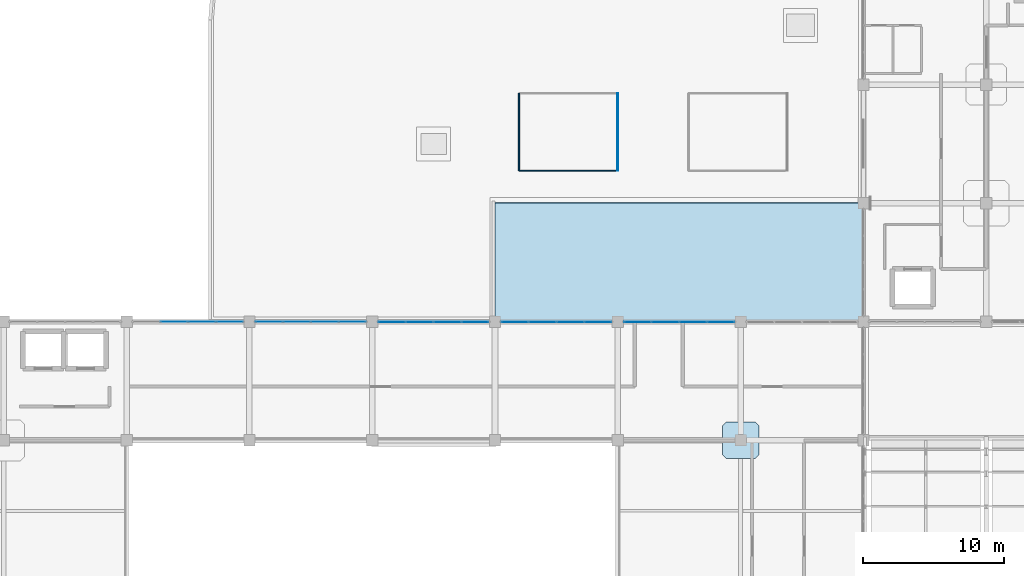
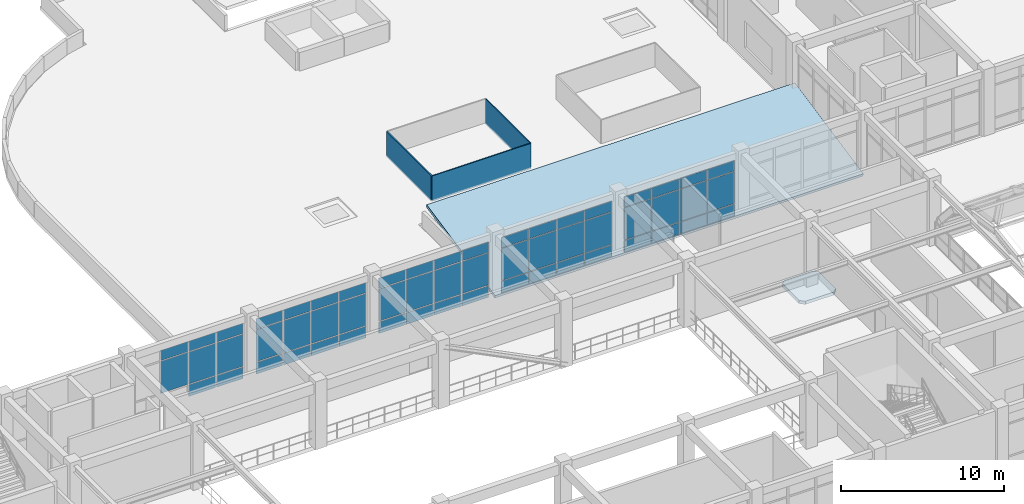
# One storey, part 97 of 124: 59 plates, 2 slabs, 5 elements without a shape of their own.
"""IFC4 building model written with IfcOpenShell, lengths in metres."""

from ifc_helpers import new_model, si_unit, derived_unit, direction, frame, origin, origin_2d, place, context, subcontext, project, spatial, polyline, rectangle, outline, extrude, material, layer, layer_set, type_object, element, aggregate, save


model = new_model("IFC4")

# Units and contexts
model_context = context("Model", 3, precision=1e-05, world=origin(), true_north=direction((0.0, 1.0)))
body_context = subcontext(model_context, "Body", "Model", "MODEL_VIEW")
ifc_project = project(units=[si_unit("LENGTHUNIT", "METRE"), si_unit("AREAUNIT", "SQUARE_METRE"), si_unit("VOLUMEUNIT", "CUBIC_METRE"), si_unit("PLANEANGLEUNIT", "RADIAN"), si_unit("MASSUNIT", "GRAM", prefix="KILO"), derived_unit("THERMALTRANSMITTANCEUNIT", [(si_unit("MASSUNIT", "GRAM", prefix="KILO"), 1), (si_unit("TIMEUNIT", "SECOND"), -3), (si_unit("THERMODYNAMICTEMPERATUREUNIT", "KELVIN"), -1)])], contexts=[model_context])

# Site, building, storey
site_placement = place(None, origin())
site = spatial("IfcSite", under=ifc_project, at=site_placement, CompositionType="ELEMENT")
building_placement = place(site_placement, origin())
building = spatial("IfcBuilding", under=site, at=building_placement, Name="Qinzheling Arcade Emporium", CompositionType="ELEMENT")
storey_placement = place(building_placement, frame((0.0, 0.0, 16.5)))
storey = spatial("IfcBuildingStorey", under=building, at=storey_placement, Name="L04", CompositionType="ELEMENT", Elevation=16.5)

# Plates
ifc_material_1 = material(Name="Mineral-wool-lined perforated aluminium acoustic panel", Category="aluminium")
ifc_layer_1 = layer(ifc_material_1, 0.06494140625, Name="Mineral-wool-lined perforated aluminium acoustic panel", Category="aluminium")
ifc_layer_set_1 = layer_set([ifc_layer_1], Name="Mineral-wool-lined perforated aluminium acoustic panel")
plate_type_1 = type_object("IfcPlateType", Name="Acoustic Roof Plant Screen Panel 65mm", PredefinedType="USERDEFINED", material=ifc_layer_set_1)
plate_1_placement = place(storey_placement, frame((87.0, 87.25, 0.0), z_axis=(0.0, 0.0, 1.0), x_axis=(0.0, 1.0, 0.0)))
element("IfcPlate", 1, at=plate_1_placement, inside=storey, type_object=plate_type_1, Name="Acoustic Plant Screen PLT-APS-L04-04", ObjectType="PLANT_SCREEN", PredefinedType="USERDEFINED", context=body_context, shape_type="SweptSolid", body=[
    extrude(rectangle(XDim=5.5, YDim=0.06494140625, at=origin_2d()), origin(), (0.0, 0.0, 1.0), 1.89990234375),
])
ifc_layer_2 = layer(ifc_material_1, 0.074951171875, Name="Mineral-wool-lined perforated aluminium acoustic panel", Category="aluminium")
ifc_layer_set_2 = layer_set([ifc_layer_2], Name="Mineral-wool-lined perforated aluminium acoustic panel")
plate_type_2 = type_object("IfcPlateType", Name="Acoustic Roof Plant Screen Panel 75mm", PredefinedType="USERDEFINED", material=ifc_layer_set_2)
plate_2_placement = place(storey_placement, frame((83.5, 84.5, 0.0), z_axis=(0.0, 0.0, 1.0), x_axis=(1.0, 0.0, 0.0)))
element("IfcPlate", 2, at=plate_2_placement, inside=storey, type_object=plate_type_2, Name="Acoustic Plant Screen PLT-APS-L04-01", ObjectType="PLANT_SCREEN", PredefinedType="USERDEFINED", context=body_context, shape_type="SweptSolid", body=[
    extrude(rectangle(XDim=7.0, YDim=0.074951171875, at=origin_2d()), origin(), (0.0, 0.0, 1.0), 1.89990234375),
])
ifc_layer_3 = layer(ifc_material_1, 0.094970703125, Name="Mineral-wool-lined perforated aluminium acoustic panel", Category="aluminium")
ifc_layer_set_3 = layer_set([ifc_layer_3], Name="Mineral-wool-lined perforated aluminium acoustic panel")
plate_type_3 = type_object("IfcPlateType", Name="Acoustic Roof Plant Screen Panel 95mm", PredefinedType="USERDEFINED", material=ifc_layer_set_3)
plate_3_placement = place(storey_placement, frame((80.0, 87.25, 0.0), z_axis=(0.0, 0.0, 1.0), x_axis=(0.0, 1.0, 0.0)))
element("IfcPlate", 3, at=plate_3_placement, inside=storey, type_object=plate_type_3, Name="Acoustic Plant Screen PLT-APS-L04-03", ObjectType="PLANT_SCREEN", PredefinedType="USERDEFINED", context=body_context, shape_type="SweptSolid", body=[
    extrude(rectangle(XDim=5.5, YDim=0.094970703125, at=origin_2d()), origin(), (0.0, 0.0, 1.0), 1.89990234375),
])

# Slab
ifc_material_2 = material(Name="Concrete C40", Category="concrete")
ifc_layer_4 = layer(ifc_material_2, 0.235107421875, Name="Concrete C40", Category="concrete")
ifc_layer_set_4 = layer_set([ifc_layer_4], Name="Concrete C40")
slab_type_1 = type_object("IfcSlabType", Name="Column Head Drop Panel 2600x2600x235 C40", PredefinedType="USERDEFINED", material=ifc_layer_set_4)
slab_1_placement = place(storey_placement, frame((0.0, 0.0, -0.514892578125)))
element("IfcSlab", 4, at=slab_1_placement, inside=storey, type_object=slab_type_1, Name="Column Drop Panel DP-L04-12-H", ObjectType="DROP_PANEL", PredefinedType="USERDEFINED", context=body_context, shape_type="SweptSolid", body=[
    extrude(outline(polyline([(94.679931640625, 64.10009765625), (96.719970703125, 64.10009765625), (97.0, 64.3798828125), (97.0, 66.419921875), (96.719970703125, 66.699951171875), (94.679931640625, 66.699951171875), (94.39990234375, 66.419921875), (94.39990234375, 64.3798828125), (94.679931640625, 64.10009765625)])), origin(), (0.0, 0.0, 1.0), 0.23486328125),
])

# Curtain wall, plates
ifc_material_3 = material(Name="Anodised aluminium and solar-control double glazing", Category="aluminium")
ifc_layer_5 = layer(ifc_material_3, 0.159912109375, Name="Anodised aluminium and solar-control double glazing", Category="aluminium")
ifc_layer_set_5 = layer_set([ifc_layer_5], Name="Anodised aluminium and solar-control double glazing")
curtain_wall_type = type_object("IfcCurtainWallType", Name="Atrium Clerestory Curtain Wall", PredefinedType="NOTDEFINED", material=ifc_layer_set_5)
curtain_wall_1_placement = place(storey_placement, origin())
curtain_wall_1 = element("IfcCurtainWall", 5, at=curtain_wall_1_placement, inside=storey, type_object=curtain_wall_type, Name="Curtain Wall CW-L04-244", PredefinedType="NOTDEFINED")
ifc_material_4 = material(Name="Laminated solar-control double glazing", Category="glass")
ifc_layer_6 = layer(ifc_material_4, 0.029052734375, Name="Laminated solar-control double glazing", Category="glass")
ifc_layer_set_6 = layer_set([ifc_layer_6], Name="Laminated solar-control double glazing")
plate_type_4 = type_object("IfcPlateType", Name="Low-E Double Glazed Curtain Panel 29mm", PredefinedType="CURTAIN_PANEL", material=ifc_layer_set_6)
plate_4_placement = place(storey_placement, frame((55.56298828125, 73.800048828125, 0.97998046875), z_axis=(0.0, 0.0, 1.0), x_axis=(1.0, 0.0, 0.0)))
plate_4 = element("IfcPlate", 6, at=plate_4_placement, type_object=plate_type_4, Name="CW03 panel 2.2", PredefinedType="CURTAIN_PANEL", context=body_context, shape_type="SweptSolid", body=[
    extrude(rectangle(XDim=1.9140625, YDim=0.029052734375, at=origin_2d()), origin(), (0.0, 0.0, 1.0), 2.39501953125),
])
plate_5_placement = place(storey_placement, frame((55.56298828125, 73.800048828125, 3.43505859375), z_axis=(0.0, 0.0, 1.0), x_axis=(1.0, 0.0, 0.0)))
plate_5 = element("IfcPlate", 7, at=plate_5_placement, type_object=plate_type_4, Name="CW03 panel 2.3", PredefinedType="CURTAIN_PANEL", context=body_context, shape_type="SweptSolid", body=[
    extrude(rectangle(XDim=1.9140625, YDim=0.029052734375, at=origin_2d()), origin(), (0.0, 0.0, 1.0), 0.760009765625),
])
plate_6_placement = place(storey_placement, frame((57.537109375, 73.800048828125, 0.06005859375), z_axis=(0.0, 0.0, 1.0), x_axis=(1.0, 0.0, 0.0)))
plate_6 = element("IfcPlate", 8, at=plate_6_placement, type_object=plate_type_4, Name="CW03 panel 3.1", PredefinedType="CURTAIN_PANEL", context=body_context, shape_type="SweptSolid", body=[
    extrude(rectangle(XDim=1.9140625, YDim=0.029052734375, at=origin_2d()), origin(), (0.0, 0.0, 1.0), 0.860107421875),
])
plate_7_placement = place(storey_placement, frame((57.537109375, 73.800048828125, 0.97998046875), z_axis=(0.0, 0.0, 1.0), x_axis=(1.0, 0.0, 0.0)))
plate_7 = element("IfcPlate", 9, at=plate_7_placement, type_object=plate_type_4, Name="CW03 panel 3.2", PredefinedType="CURTAIN_PANEL", context=body_context, shape_type="SweptSolid", body=[
    extrude(rectangle(XDim=1.9140625, YDim=0.029052734375, at=origin_2d()), origin(), (0.0, 0.0, 1.0), 2.39501953125),
])
plate_8_placement = place(storey_placement, frame((57.537109375, 73.800048828125, 3.43505859375), z_axis=(0.0, 0.0, 1.0), x_axis=(1.0, 0.0, 0.0)))
plate_8 = element("IfcPlate", 10, at=plate_8_placement, type_object=plate_type_4, Name="CW03 panel 3.3", PredefinedType="CURTAIN_PANEL", context=body_context, shape_type="SweptSolid", body=[
    extrude(rectangle(XDim=1.9140625, YDim=0.029052734375, at=origin_2d()), origin(), (0.0, 0.0, 1.0), 0.760009765625),
])
plate_9_placement = place(storey_placement, frame((59.49609375, 73.800048828125, 0.06005859375), z_axis=(0.0, 0.0, 1.0), x_axis=(1.0, 0.0, 0.0)))
plate_9 = element("IfcPlate", 11, at=plate_9_placement, type_object=plate_type_4, Name="CW03 panel 4.1", PredefinedType="CURTAIN_PANEL", context=body_context, shape_type="SweptSolid", body=[
    extrude(rectangle(XDim=1.884033203125, YDim=0.029052734375, at=origin_2d()), origin(), (0.0, 0.0, 1.0), 0.860107421875),
])
plate_10_placement = place(storey_placement, frame((59.49609375, 73.800048828125, 0.97998046875), z_axis=(0.0, 0.0, 1.0), x_axis=(1.0, 0.0, 0.0)))
plate_10 = element("IfcPlate", 12, at=plate_10_placement, type_object=plate_type_4, Name="CW03 panel 4.2", PredefinedType="CURTAIN_PANEL", context=body_context, shape_type="SweptSolid", body=[
    extrude(rectangle(XDim=1.884033203125, YDim=0.029052734375, at=origin_2d()), origin(), (0.0, 0.0, 1.0), 2.39501953125),
])
plate_11_placement = place(storey_placement, frame((59.49609375, 73.800048828125, 3.43505859375), z_axis=(0.0, 0.0, 1.0), x_axis=(1.0, 0.0, 0.0)))
plate_11 = element("IfcPlate", 13, at=plate_11_placement, type_object=plate_type_4, Name="CW03 panel 4.3", PredefinedType="CURTAIN_PANEL", context=body_context, shape_type="SweptSolid", body=[
    extrude(rectangle(XDim=1.884033203125, YDim=0.029052734375, at=origin_2d()), origin(), (0.0, 0.0, 1.0), 0.760009765625),
])
aggregate(curtain_wall_1, [plate_4, plate_5, plate_6, plate_7, plate_8, plate_9, plate_10, plate_11])

curtain_wall_2_placement = place(storey_placement, origin())
curtain_wall_2 = element("IfcCurtainWall", 14, at=curtain_wall_2_placement, inside=storey, type_object=curtain_wall_type, Name="Curtain Wall CW-L04-245", PredefinedType="NOTDEFINED")
ifc_layer_7 = layer(ifc_material_4, 0.030029296875, Name="Laminated solar-control double glazing", Category="glass")
ifc_layer_set_7 = layer_set([ifc_layer_7], Name="Laminated solar-control double glazing")
plate_type_5 = type_object("IfcPlateType", Name="Low-E Double Glazed Curtain Panel 30mm", PredefinedType="CURTAIN_PANEL", material=ifc_layer_set_7)
plate_12_placement = place(storey_placement, frame((62.303955078125, 73.800048828125, 0.06005859375), z_axis=(0.0, 0.0, 1.0), x_axis=(1.0, 0.0, 0.0)))
plate_12 = element("IfcPlate", 15, at=plate_12_placement, type_object=plate_type_5, Name="CW03 panel 1.1", PredefinedType="CURTAIN_PANEL", context=body_context, shape_type="SweptSolid", body=[
    extrude(rectangle(XDim=1.884033203125, YDim=0.030029296875, at=origin_2d()), origin(), (0.0, 0.0, 1.0), 0.860107421875),
])
plate_13_placement = place(storey_placement, frame((62.303955078125, 73.800048828125, 0.97998046875), z_axis=(0.0, 0.0, 1.0), x_axis=(1.0, 0.0, 0.0)))
plate_13 = element("IfcPlate", 16, at=plate_13_placement, type_object=plate_type_5, Name="CW03 panel 1.2", PredefinedType="CURTAIN_PANEL", context=body_context, shape_type="SweptSolid", body=[
    extrude(rectangle(XDim=1.884033203125, YDim=0.030029296875, at=origin_2d()), origin(), (0.0, 0.0, 1.0), 2.39501953125),
])
plate_14_placement = place(storey_placement, frame((62.303955078125, 73.800048828125, 3.43505859375), z_axis=(0.0, 0.0, 1.0), x_axis=(1.0, 0.0, 0.0)))
plate_14 = element("IfcPlate", 17, at=plate_14_placement, type_object=plate_type_5, Name="CW03 panel 1.3", PredefinedType="CURTAIN_PANEL", context=body_context, shape_type="SweptSolid", body=[
    extrude(rectangle(XDim=1.884033203125, YDim=0.030029296875, at=origin_2d()), origin(), (0.0, 0.0, 1.0), 0.760009765625),
])
plate_15_placement = place(storey_placement, frame((64.262939453125, 73.800048828125, 0.06005859375), z_axis=(0.0, 0.0, 1.0), x_axis=(1.0, 0.0, 0.0)))
plate_15 = element("IfcPlate", 18, at=plate_15_placement, type_object=plate_type_5, Name="CW03 panel 2.1", PredefinedType="CURTAIN_PANEL", context=body_context, shape_type="SweptSolid", body=[
    extrude(rectangle(XDim=1.9140625, YDim=0.030029296875, at=origin_2d()), origin(), (0.0, 0.0, 1.0), 0.860107421875),
])
plate_16_placement = place(storey_placement, frame((64.262939453125, 73.800048828125, 0.97998046875), z_axis=(0.0, 0.0, 1.0), x_axis=(1.0, 0.0, 0.0)))
plate_16 = element("IfcPlate", 19, at=plate_16_placement, type_object=plate_type_5, Name="CW03 panel 2.2", PredefinedType="CURTAIN_PANEL", context=body_context, shape_type="SweptSolid", body=[
    extrude(rectangle(XDim=1.9140625, YDim=0.030029296875, at=origin_2d()), origin(), (0.0, 0.0, 1.0), 2.39501953125),
])
plate_17_placement = place(storey_placement, frame((64.262939453125, 73.800048828125, 3.43505859375), z_axis=(0.0, 0.0, 1.0), x_axis=(1.0, 0.0, 0.0)))
plate_17 = element("IfcPlate", 20, at=plate_17_placement, type_object=plate_type_5, Name="CW03 panel 2.3", PredefinedType="CURTAIN_PANEL", context=body_context, shape_type="SweptSolid", body=[
    extrude(rectangle(XDim=1.9140625, YDim=0.030029296875, at=origin_2d()), origin(), (0.0, 0.0, 1.0), 0.760009765625),
])
plate_18_placement = place(storey_placement, frame((66.237060546875, 73.800048828125, 0.06005859375), z_axis=(0.0, 0.0, 1.0), x_axis=(1.0, 0.0, 0.0)))
plate_18 = element("IfcPlate", 21, at=plate_18_placement, type_object=plate_type_5, Name="CW03 panel 3.1", PredefinedType="CURTAIN_PANEL", context=body_context, shape_type="SweptSolid", body=[
    extrude(rectangle(XDim=1.9140625, YDim=0.030029296875, at=origin_2d()), origin(), (0.0, 0.0, 1.0), 0.860107421875),
])
plate_19_placement = place(storey_placement, frame((66.237060546875, 73.800048828125, 0.97998046875), z_axis=(0.0, 0.0, 1.0), x_axis=(1.0, 0.0, 0.0)))
plate_19 = element("IfcPlate", 22, at=plate_19_placement, type_object=plate_type_5, Name="CW03 panel 3.2", PredefinedType="CURTAIN_PANEL", context=body_context, shape_type="SweptSolid", body=[
    extrude(rectangle(XDim=1.9140625, YDim=0.030029296875, at=origin_2d()), origin(), (0.0, 0.0, 1.0), 2.39501953125),
])
plate_20_placement = place(storey_placement, frame((66.237060546875, 73.800048828125, 3.43505859375), z_axis=(0.0, 0.0, 1.0), x_axis=(1.0, 0.0, 0.0)))
plate_20 = element("IfcPlate", 23, at=plate_20_placement, type_object=plate_type_5, Name="CW03 panel 3.3", PredefinedType="CURTAIN_PANEL", context=body_context, shape_type="SweptSolid", body=[
    extrude(rectangle(XDim=1.9140625, YDim=0.030029296875, at=origin_2d()), origin(), (0.0, 0.0, 1.0), 0.760009765625),
])
plate_21_placement = place(storey_placement, frame((68.196044921875, 73.800048828125, 0.06005859375), z_axis=(0.0, 0.0, 1.0), x_axis=(1.0, 0.0, 0.0)))
plate_21 = element("IfcPlate", 24, at=plate_21_placement, type_object=plate_type_5, Name="CW03 panel 4.1", PredefinedType="CURTAIN_PANEL", context=body_context, shape_type="SweptSolid", body=[
    extrude(rectangle(XDim=1.884033203125, YDim=0.030029296875, at=origin_2d()), origin(), (0.0, 0.0, 1.0), 0.860107421875),
])
plate_22_placement = place(storey_placement, frame((68.196044921875, 73.800048828125, 0.97998046875), z_axis=(0.0, 0.0, 1.0), x_axis=(1.0, 0.0, 0.0)))
plate_22 = element("IfcPlate", 25, at=plate_22_placement, type_object=plate_type_5, Name="CW03 panel 4.2", PredefinedType="CURTAIN_PANEL", context=body_context, shape_type="SweptSolid", body=[
    extrude(rectangle(XDim=1.884033203125, YDim=0.030029296875, at=origin_2d()), origin(), (0.0, 0.0, 1.0), 2.39501953125),
])
plate_23_placement = place(storey_placement, frame((68.196044921875, 73.800048828125, 3.43505859375), z_axis=(0.0, 0.0, 1.0), x_axis=(1.0, 0.0, 0.0)))
plate_23 = element("IfcPlate", 26, at=plate_23_placement, type_object=plate_type_5, Name="CW03 panel 4.3", PredefinedType="CURTAIN_PANEL", context=body_context, shape_type="SweptSolid", body=[
    extrude(rectangle(XDim=1.884033203125, YDim=0.030029296875, at=origin_2d()), origin(), (0.0, 0.0, 1.0), 0.760009765625),
])
aggregate(curtain_wall_2, [plate_12, plate_13, plate_14, plate_15, plate_16, plate_17, plate_18, plate_19, plate_20, plate_21, plate_22, plate_23])

curtain_wall_3_placement = place(storey_placement, origin())
curtain_wall_3 = element("IfcCurtainWall", 27, at=curtain_wall_3_placement, inside=storey, type_object=curtain_wall_type, Name="Curtain Wall CW-L04-246", PredefinedType="NOTDEFINED")
ifc_layer_8 = layer(ifc_material_4, 0.031005859375, Name="Laminated solar-control double glazing", Category="glass")
ifc_layer_set_8 = layer_set([ifc_layer_8], Name="Laminated solar-control double glazing")
plate_type_6 = type_object("IfcPlateType", Name="Low-E Double Glazed Curtain Panel 31mm", PredefinedType="CURTAIN_PANEL", material=ifc_layer_set_8)
plate_24_placement = place(storey_placement, frame((71.00390625, 73.800048828125, 0.06005859375), z_axis=(0.0, 0.0, 1.0), x_axis=(1.0, 0.0, 0.0)))
plate_24 = element("IfcPlate", 28, at=plate_24_placement, type_object=plate_type_6, Name="CW03 panel 1.1", PredefinedType="CURTAIN_PANEL", context=body_context, shape_type="SweptSolid", body=[
    extrude(rectangle(XDim=1.884033203125, YDim=0.031005859375, at=origin_2d()), origin(), (0.0, 0.0, 1.0), 0.860107421875),
])
plate_25_placement = place(storey_placement, frame((71.00390625, 73.800048828125, 0.97998046875), z_axis=(0.0, 0.0, 1.0), x_axis=(1.0, 0.0, 0.0)))
plate_25 = element("IfcPlate", 29, at=plate_25_placement, type_object=plate_type_6, Name="CW03 panel 1.2", PredefinedType="CURTAIN_PANEL", context=body_context, shape_type="SweptSolid", body=[
    extrude(rectangle(XDim=1.884033203125, YDim=0.031005859375, at=origin_2d()), origin(), (0.0, 0.0, 1.0), 2.39501953125),
])
plate_26_placement = place(storey_placement, frame((71.00390625, 73.800048828125, 3.43505859375), z_axis=(0.0, 0.0, 1.0), x_axis=(1.0, 0.0, 0.0)))
plate_26 = element("IfcPlate", 30, at=plate_26_placement, type_object=plate_type_6, Name="CW03 panel 1.3", PredefinedType="CURTAIN_PANEL", context=body_context, shape_type="SweptSolid", body=[
    extrude(rectangle(XDim=1.884033203125, YDim=0.031005859375, at=origin_2d()), origin(), (0.0, 0.0, 1.0), 0.760009765625),
])
plate_27_placement = place(storey_placement, frame((72.962890625, 73.800048828125, 0.06005859375), z_axis=(0.0, 0.0, 1.0), x_axis=(1.0, 0.0, 0.0)))
plate_27 = element("IfcPlate", 31, at=plate_27_placement, type_object=plate_type_6, Name="CW03 panel 2.1", PredefinedType="CURTAIN_PANEL", context=body_context, shape_type="SweptSolid", body=[
    extrude(rectangle(XDim=1.9140625, YDim=0.031005859375, at=origin_2d()), origin(), (0.0, 0.0, 1.0), 0.860107421875),
])
plate_28_placement = place(storey_placement, frame((72.962890625, 73.800048828125, 0.97998046875), z_axis=(0.0, 0.0, 1.0), x_axis=(1.0, 0.0, 0.0)))
plate_28 = element("IfcPlate", 32, at=plate_28_placement, type_object=plate_type_6, Name="CW03 panel 2.2", PredefinedType="CURTAIN_PANEL", context=body_context, shape_type="SweptSolid", body=[
    extrude(rectangle(XDim=1.9140625, YDim=0.031005859375, at=origin_2d()), origin(), (0.0, 0.0, 1.0), 2.39501953125),
])
plate_29_placement = place(storey_placement, frame((72.962890625, 73.800048828125, 3.43505859375), z_axis=(0.0, 0.0, 1.0), x_axis=(1.0, 0.0, 0.0)))
plate_29 = element("IfcPlate", 33, at=plate_29_placement, type_object=plate_type_6, Name="CW03 panel 2.3", PredefinedType="CURTAIN_PANEL", context=body_context, shape_type="SweptSolid", body=[
    extrude(rectangle(XDim=1.9140625, YDim=0.031005859375, at=origin_2d()), origin(), (0.0, 0.0, 1.0), 0.760009765625),
])
plate_30_placement = place(storey_placement, frame((74.93701171875, 73.800048828125, 0.06005859375), z_axis=(0.0, 0.0, 1.0), x_axis=(1.0, 0.0, 0.0)))
plate_30 = element("IfcPlate", 34, at=plate_30_placement, type_object=plate_type_6, Name="CW03 panel 3.1", PredefinedType="CURTAIN_PANEL", context=body_context, shape_type="SweptSolid", body=[
    extrude(rectangle(XDim=1.9140625, YDim=0.031005859375, at=origin_2d()), origin(), (0.0, 0.0, 1.0), 0.860107421875),
])
plate_31_placement = place(storey_placement, frame((74.93701171875, 73.800048828125, 0.97998046875), z_axis=(0.0, 0.0, 1.0), x_axis=(1.0, 0.0, 0.0)))
plate_31 = element("IfcPlate", 35, at=plate_31_placement, type_object=plate_type_6, Name="CW03 panel 3.2", PredefinedType="CURTAIN_PANEL", context=body_context, shape_type="SweptSolid", body=[
    extrude(rectangle(XDim=1.9140625, YDim=0.031005859375, at=origin_2d()), origin(), (0.0, 0.0, 1.0), 2.39501953125),
])
plate_32_placement = place(storey_placement, frame((74.93701171875, 73.800048828125, 3.43505859375), z_axis=(0.0, 0.0, 1.0), x_axis=(1.0, 0.0, 0.0)))
plate_32 = element("IfcPlate", 36, at=plate_32_placement, type_object=plate_type_6, Name="CW03 panel 3.3", PredefinedType="CURTAIN_PANEL", context=body_context, shape_type="SweptSolid", body=[
    extrude(rectangle(XDim=1.9140625, YDim=0.031005859375, at=origin_2d()), origin(), (0.0, 0.0, 1.0), 0.760009765625),
])
plate_33_placement = place(storey_placement, frame((76.89599609375, 73.800048828125, 0.06005859375), z_axis=(0.0, 0.0, 1.0), x_axis=(1.0, 0.0, 0.0)))
plate_33 = element("IfcPlate", 37, at=plate_33_placement, type_object=plate_type_6, Name="CW03 panel 4.1", PredefinedType="CURTAIN_PANEL", context=body_context, shape_type="SweptSolid", body=[
    extrude(rectangle(XDim=1.884033203125, YDim=0.031005859375, at=origin_2d()), origin(), (0.0, 0.0, 1.0), 0.860107421875),
])
plate_34_placement = place(storey_placement, frame((76.89599609375, 73.800048828125, 0.97998046875), z_axis=(0.0, 0.0, 1.0), x_axis=(1.0, 0.0, 0.0)))
plate_34 = element("IfcPlate", 38, at=plate_34_placement, type_object=plate_type_6, Name="CW03 panel 4.2", PredefinedType="CURTAIN_PANEL", context=body_context, shape_type="SweptSolid", body=[
    extrude(rectangle(XDim=1.884033203125, YDim=0.031005859375, at=origin_2d()), origin(), (0.0, 0.0, 1.0), 2.39501953125),
])
plate_35_placement = place(storey_placement, frame((76.89599609375, 73.800048828125, 3.43505859375), z_axis=(0.0, 0.0, 1.0), x_axis=(1.0, 0.0, 0.0)))
plate_35 = element("IfcPlate", 39, at=plate_35_placement, type_object=plate_type_6, Name="CW03 panel 4.3", PredefinedType="CURTAIN_PANEL", context=body_context, shape_type="SweptSolid", body=[
    extrude(rectangle(XDim=1.884033203125, YDim=0.031005859375, at=origin_2d()), origin(), (0.0, 0.0, 1.0), 0.760009765625),
])
aggregate(curtain_wall_3, [plate_24, plate_25, plate_26, plate_27, plate_28, plate_29, plate_30, plate_31, plate_32, plate_33, plate_34, plate_35])

curtain_wall_4_placement = place(storey_placement, origin())
curtain_wall_4 = element("IfcCurtainWall", 40, at=curtain_wall_4_placement, inside=storey, type_object=curtain_wall_type, Name="Curtain Wall CW-L04-247", PredefinedType="NOTDEFINED")
ifc_layer_9 = layer(ifc_material_4, 0.031982421875, Name="Laminated solar-control double glazing", Category="glass")
ifc_layer_set_9 = layer_set([ifc_layer_9], Name="Laminated solar-control double glazing")
plate_type_7 = type_object("IfcPlateType", Name="Low-E Double Glazed Curtain Panel 32mm", PredefinedType="CURTAIN_PANEL", material=ifc_layer_set_9)
plate_36_placement = place(storey_placement, frame((79.7041015625, 73.800048828125, 0.06005859375), z_axis=(0.0, 0.0, 1.0), x_axis=(1.0, 0.0, 0.0)))
plate_36 = element("IfcPlate", 41, at=plate_36_placement, type_object=plate_type_7, Name="CW03 panel 1.1", PredefinedType="CURTAIN_PANEL", context=body_context, shape_type="SweptSolid", body=[
    extrude(rectangle(XDim=1.884033203125, YDim=0.031982421875, at=origin_2d()), origin(), (0.0, 0.0, 1.0), 0.860107421875),
])
plate_37_placement = place(storey_placement, frame((79.7041015625, 73.800048828125, 0.97998046875), z_axis=(0.0, 0.0, 1.0), x_axis=(1.0, 0.0, 0.0)))
plate_37 = element("IfcPlate", 42, at=plate_37_placement, type_object=plate_type_7, Name="CW03 panel 1.2", PredefinedType="CURTAIN_PANEL", context=body_context, shape_type="SweptSolid", body=[
    extrude(rectangle(XDim=1.884033203125, YDim=0.031982421875, at=origin_2d()), origin(), (0.0, 0.0, 1.0), 2.39501953125),
])
plate_38_placement = place(storey_placement, frame((79.7041015625, 73.800048828125, 3.43505859375), z_axis=(0.0, 0.0, 1.0), x_axis=(1.0, 0.0, 0.0)))
plate_38 = element("IfcPlate", 43, at=plate_38_placement, type_object=plate_type_7, Name="CW03 panel 1.3", PredefinedType="CURTAIN_PANEL", context=body_context, shape_type="SweptSolid", body=[
    extrude(rectangle(XDim=1.884033203125, YDim=0.031982421875, at=origin_2d()), origin(), (0.0, 0.0, 1.0), 0.760009765625),
])
plate_39_placement = place(storey_placement, frame((81.6630859375, 73.800048828125, 0.06005859375), z_axis=(0.0, 0.0, 1.0), x_axis=(1.0, 0.0, 0.0)))
plate_39 = element("IfcPlate", 44, at=plate_39_placement, type_object=plate_type_7, Name="CW03 panel 2.1", PredefinedType="CURTAIN_PANEL", context=body_context, shape_type="SweptSolid", body=[
    extrude(rectangle(XDim=1.9140625, YDim=0.031982421875, at=origin_2d()), origin(), (0.0, 0.0, 1.0), 0.860107421875),
])
plate_40_placement = place(storey_placement, frame((81.6630859375, 73.800048828125, 0.97998046875), z_axis=(0.0, 0.0, 1.0), x_axis=(1.0, 0.0, 0.0)))
plate_40 = element("IfcPlate", 45, at=plate_40_placement, type_object=plate_type_7, Name="CW03 panel 2.2", PredefinedType="CURTAIN_PANEL", context=body_context, shape_type="SweptSolid", body=[
    extrude(rectangle(XDim=1.9140625, YDim=0.031982421875, at=origin_2d()), origin(), (0.0, 0.0, 1.0), 2.39501953125),
])
plate_41_placement = place(storey_placement, frame((81.6630859375, 73.800048828125, 3.43505859375), z_axis=(0.0, 0.0, 1.0), x_axis=(1.0, 0.0, 0.0)))
plate_41 = element("IfcPlate", 46, at=plate_41_placement, type_object=plate_type_7, Name="CW03 panel 2.3", PredefinedType="CURTAIN_PANEL", context=body_context, shape_type="SweptSolid", body=[
    extrude(rectangle(XDim=1.9140625, YDim=0.031982421875, at=origin_2d()), origin(), (0.0, 0.0, 1.0), 0.760009765625),
])
plate_42_placement = place(storey_placement, frame((83.636962890625, 73.800048828125, 0.06005859375), z_axis=(0.0, 0.0, 1.0), x_axis=(1.0, 0.0, 0.0)))
plate_42 = element("IfcPlate", 47, at=plate_42_placement, type_object=plate_type_7, Name="CW03 panel 3.1", PredefinedType="CURTAIN_PANEL", context=body_context, shape_type="SweptSolid", body=[
    extrude(rectangle(XDim=1.9140625, YDim=0.031982421875, at=origin_2d()), origin(), (0.0, 0.0, 1.0), 0.860107421875),
])
plate_43_placement = place(storey_placement, frame((83.636962890625, 73.800048828125, 0.97998046875), z_axis=(0.0, 0.0, 1.0), x_axis=(1.0, 0.0, 0.0)))
plate_43 = element("IfcPlate", 48, at=plate_43_placement, type_object=plate_type_7, Name="CW03 panel 3.2", PredefinedType="CURTAIN_PANEL", context=body_context, shape_type="SweptSolid", body=[
    extrude(rectangle(XDim=1.9140625, YDim=0.031982421875, at=origin_2d()), origin(), (0.0, 0.0, 1.0), 2.39501953125),
])
plate_44_placement = place(storey_placement, frame((83.636962890625, 73.800048828125, 3.43505859375), z_axis=(0.0, 0.0, 1.0), x_axis=(1.0, 0.0, 0.0)))
plate_44 = element("IfcPlate", 49, at=plate_44_placement, type_object=plate_type_7, Name="CW03 panel 3.3", PredefinedType="CURTAIN_PANEL", context=body_context, shape_type="SweptSolid", body=[
    extrude(rectangle(XDim=1.9140625, YDim=0.031982421875, at=origin_2d()), origin(), (0.0, 0.0, 1.0), 0.760009765625),
])
plate_45_placement = place(storey_placement, frame((85.595947265625, 73.800048828125, 0.06005859375), z_axis=(0.0, 0.0, 1.0), x_axis=(1.0, 0.0, 0.0)))
plate_45 = element("IfcPlate", 50, at=plate_45_placement, type_object=plate_type_7, Name="CW03 panel 4.1", PredefinedType="CURTAIN_PANEL", context=body_context, shape_type="SweptSolid", body=[
    extrude(rectangle(XDim=1.884033203125, YDim=0.031982421875, at=origin_2d()), origin(), (0.0, 0.0, 1.0), 0.860107421875),
])
plate_46_placement = place(storey_placement, frame((85.595947265625, 73.800048828125, 0.97998046875), z_axis=(0.0, 0.0, 1.0), x_axis=(1.0, 0.0, 0.0)))
plate_46 = element("IfcPlate", 51, at=plate_46_placement, type_object=plate_type_7, Name="CW03 panel 4.2", PredefinedType="CURTAIN_PANEL", context=body_context, shape_type="SweptSolid", body=[
    extrude(rectangle(XDim=1.884033203125, YDim=0.031982421875, at=origin_2d()), origin(), (0.0, 0.0, 1.0), 2.39501953125),
])
plate_47_placement = place(storey_placement, frame((85.595947265625, 73.800048828125, 3.43505859375), z_axis=(0.0, 0.0, 1.0), x_axis=(1.0, 0.0, 0.0)))
plate_47 = element("IfcPlate", 52, at=plate_47_placement, type_object=plate_type_7, Name="CW03 panel 4.3", PredefinedType="CURTAIN_PANEL", context=body_context, shape_type="SweptSolid", body=[
    extrude(rectangle(XDim=1.884033203125, YDim=0.031982421875, at=origin_2d()), origin(), (0.0, 0.0, 1.0), 0.760009765625),
])
aggregate(curtain_wall_4, [plate_36, plate_37, plate_38, plate_39, plate_40, plate_41, plate_42, plate_43, plate_44, plate_45, plate_46, plate_47])

curtain_wall_5_placement = place(storey_placement, origin())
curtain_wall_5 = element("IfcCurtainWall", 53, at=curtain_wall_5_placement, inside=storey, type_object=curtain_wall_type, Name="Curtain Wall CW-L04-248", PredefinedType="NOTDEFINED")
ifc_layer_10 = layer(ifc_material_4, 0.033935546875, Name="Laminated solar-control double glazing", Category="glass")
ifc_layer_set_10 = layer_set([ifc_layer_10], Name="Laminated solar-control double glazing")
plate_type_8 = type_object("IfcPlateType", Name="Low-E Double Glazed Curtain Panel 34mm", PredefinedType="CURTAIN_PANEL", material=ifc_layer_set_10)
plate_48_placement = place(storey_placement, frame((88.404052734375, 73.800048828125, 0.06005859375), z_axis=(0.0, 0.0, 1.0), x_axis=(1.0, 0.0, 0.0)))
plate_48 = element("IfcPlate", 54, at=plate_48_placement, type_object=plate_type_8, Name="CW03 panel 1.1", PredefinedType="CURTAIN_PANEL", context=body_context, shape_type="SweptSolid", body=[
    extrude(rectangle(XDim=1.884033203125, YDim=0.033935546875, at=origin_2d()), origin(), (0.0, 0.0, 1.0), 0.860107421875),
])
plate_49_placement = place(storey_placement, frame((88.404052734375, 73.800048828125, 0.97998046875), z_axis=(0.0, 0.0, 1.0), x_axis=(1.0, 0.0, 0.0)))
plate_49 = element("IfcPlate", 55, at=plate_49_placement, type_object=plate_type_8, Name="CW03 panel 1.2", PredefinedType="CURTAIN_PANEL", context=body_context, shape_type="SweptSolid", body=[
    extrude(rectangle(XDim=1.884033203125, YDim=0.033935546875, at=origin_2d()), origin(), (0.0, 0.0, 1.0), 2.39501953125),
])
plate_50_placement = place(storey_placement, frame((88.404052734375, 73.800048828125, 3.43505859375), z_axis=(0.0, 0.0, 1.0), x_axis=(1.0, 0.0, 0.0)))
plate_50 = element("IfcPlate", 56, at=plate_50_placement, type_object=plate_type_8, Name="CW03 panel 1.3", PredefinedType="CURTAIN_PANEL", context=body_context, shape_type="SweptSolid", body=[
    extrude(rectangle(XDim=1.884033203125, YDim=0.033935546875, at=origin_2d()), origin(), (0.0, 0.0, 1.0), 0.760009765625),
])
plate_51_placement = place(storey_placement, frame((90.363037109375, 73.800048828125, 0.06005859375), z_axis=(0.0, 0.0, 1.0), x_axis=(1.0, 0.0, 0.0)))
plate_51 = element("IfcPlate", 57, at=plate_51_placement, type_object=plate_type_8, Name="CW03 panel 2.1", PredefinedType="CURTAIN_PANEL", context=body_context, shape_type="SweptSolid", body=[
    extrude(rectangle(XDim=1.9140625, YDim=0.033935546875, at=origin_2d()), origin(), (0.0, 0.0, 1.0), 0.860107421875),
])
plate_52_placement = place(storey_placement, frame((90.363037109375, 73.800048828125, 0.97998046875), z_axis=(0.0, 0.0, 1.0), x_axis=(1.0, 0.0, 0.0)))
plate_52 = element("IfcPlate", 58, at=plate_52_placement, type_object=plate_type_8, Name="CW03 panel 2.2", PredefinedType="CURTAIN_PANEL", context=body_context, shape_type="SweptSolid", body=[
    extrude(rectangle(XDim=1.9140625, YDim=0.033935546875, at=origin_2d()), origin(), (0.0, 0.0, 1.0), 2.39501953125),
])
plate_53_placement = place(storey_placement, frame((90.363037109375, 73.800048828125, 3.43505859375), z_axis=(0.0, 0.0, 1.0), x_axis=(1.0, 0.0, 0.0)))
plate_53 = element("IfcPlate", 59, at=plate_53_placement, type_object=plate_type_8, Name="CW03 panel 2.3", PredefinedType="CURTAIN_PANEL", context=body_context, shape_type="SweptSolid", body=[
    extrude(rectangle(XDim=1.9140625, YDim=0.033935546875, at=origin_2d()), origin(), (0.0, 0.0, 1.0), 0.760009765625),
])
plate_54_placement = place(storey_placement, frame((92.3369140625, 73.800048828125, 0.06005859375), z_axis=(0.0, 0.0, 1.0), x_axis=(1.0, 0.0, 0.0)))
plate_54 = element("IfcPlate", 60, at=plate_54_placement, type_object=plate_type_8, Name="CW03 panel 3.1", PredefinedType="CURTAIN_PANEL", context=body_context, shape_type="SweptSolid", body=[
    extrude(rectangle(XDim=1.9140625, YDim=0.033935546875, at=origin_2d()), origin(), (0.0, 0.0, 1.0), 0.860107421875),
])
plate_55_placement = place(storey_placement, frame((92.3369140625, 73.800048828125, 0.97998046875), z_axis=(0.0, 0.0, 1.0), x_axis=(1.0, 0.0, 0.0)))
plate_55 = element("IfcPlate", 61, at=plate_55_placement, type_object=plate_type_8, Name="CW03 panel 3.2", PredefinedType="CURTAIN_PANEL", context=body_context, shape_type="SweptSolid", body=[
    extrude(rectangle(XDim=1.9140625, YDim=0.033935546875, at=origin_2d()), origin(), (0.0, 0.0, 1.0), 2.39501953125),
])
plate_56_placement = place(storey_placement, frame((92.3369140625, 73.800048828125, 3.43505859375), z_axis=(0.0, 0.0, 1.0), x_axis=(1.0, 0.0, 0.0)))
plate_56 = element("IfcPlate", 62, at=plate_56_placement, type_object=plate_type_8, Name="CW03 panel 3.3", PredefinedType="CURTAIN_PANEL", context=body_context, shape_type="SweptSolid", body=[
    extrude(rectangle(XDim=1.9140625, YDim=0.033935546875, at=origin_2d()), origin(), (0.0, 0.0, 1.0), 0.760009765625),
])
plate_57_placement = place(storey_placement, frame((94.2958984375, 73.800048828125, 0.06005859375), z_axis=(0.0, 0.0, 1.0), x_axis=(1.0, 0.0, 0.0)))
plate_57 = element("IfcPlate", 63, at=plate_57_placement, type_object=plate_type_8, Name="CW03 panel 4.1", PredefinedType="CURTAIN_PANEL", context=body_context, shape_type="SweptSolid", body=[
    extrude(rectangle(XDim=1.884033203125, YDim=0.033935546875, at=origin_2d()), origin(), (0.0, 0.0, 1.0), 0.860107421875),
])
plate_58_placement = place(storey_placement, frame((94.2958984375, 73.800048828125, 0.97998046875), z_axis=(0.0, 0.0, 1.0), x_axis=(1.0, 0.0, 0.0)))
plate_58 = element("IfcPlate", 64, at=plate_58_placement, type_object=plate_type_8, Name="CW03 panel 4.2", PredefinedType="CURTAIN_PANEL", context=body_context, shape_type="SweptSolid", body=[
    extrude(rectangle(XDim=1.884033203125, YDim=0.033935546875, at=origin_2d()), origin(), (0.0, 0.0, 1.0), 2.39501953125),
])
plate_59_placement = place(storey_placement, frame((94.2958984375, 73.800048828125, 3.43505859375), z_axis=(0.0, 0.0, 1.0), x_axis=(1.0, 0.0, 0.0)))
plate_59 = element("IfcPlate", 65, at=plate_59_placement, type_object=plate_type_8, Name="CW03 panel 4.3", PredefinedType="CURTAIN_PANEL", context=body_context, shape_type="SweptSolid", body=[
    extrude(rectangle(XDim=1.884033203125, YDim=0.033935546875, at=origin_2d()), origin(), (0.0, 0.0, 1.0), 0.760009765625),
])
aggregate(curtain_wall_5, [plate_48, plate_49, plate_50, plate_51, plate_52, plate_53, plate_54, plate_55, plate_56, plate_57, plate_58, plate_59])

# Slab
ifc_layer_11 = layer(ifc_material_2, 0.2099609375, Name="Concrete C40", Category="concrete")
ifc_layer_set_11 = layer_set([ifc_layer_11], Name="Concrete C40")
slab_type_2 = type_object("IfcSlabType", Name="Sloped Typhoon Storm Eave Roof Slab 210 C40", PredefinedType="ROOF", material=ifc_layer_set_11)
slab_2_placement = place(storey_placement, frame((78.300048828125, 73.800048828125, 0.0), z_axis=(0.0, -0.200598725584, 0.979673492187), x_axis=(1.0, 0.0, 0.0)))
element("IfcSlab", 66, at=slab_2_placement, inside=storey, type_object=slab_type_2, Name="Sloped Storm Eave SLB-EAVE-V5S", PredefinedType="ROOF", context=body_context, shape_type="SweptSolid", body=[
    extrude(outline(polyline([(0.0, 0.0), (26.099853515625, 0.0), (26.099853515625, 8.574185594220891), (0.0, 8.574185594220891), (0.0, 0.0)])), origin(), (0.0, 0.0, -1.0), 0.2099609375),
])

save(model, "model.ifc")
